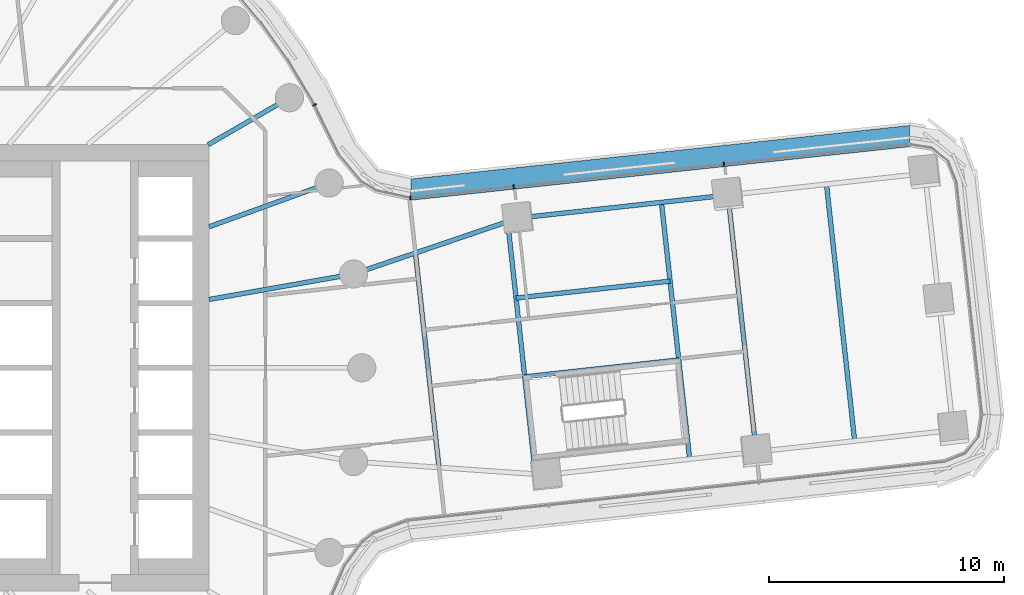
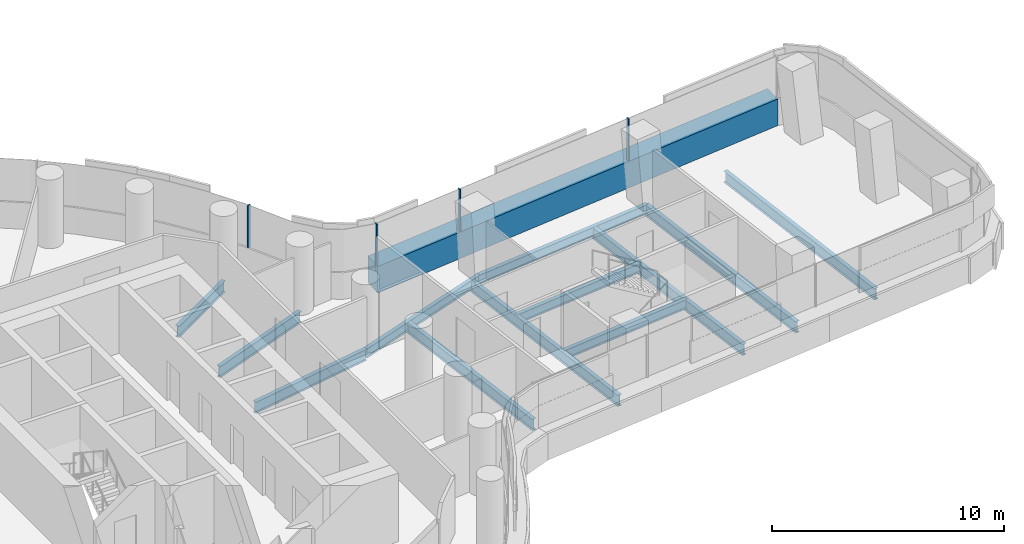
# One storey, part 11 of 31: 12 beams, 5 members, 2 elements without a shape of their own.
"""IFC4 building model written with IfcOpenShell, lengths in metres."""

import ifcopenshell
import ifcopenshell.guid

model = None  # the IFC model being written
_history = None  # IfcOwnerHistory: only IFC2X3 demands one
_inside = {}  # id of a spatial element -> (the spatial element, [elements in it])
_under = {}  # id of a project, library or spatial element -> (it, [spatial elements below it])
_declared = {}  # id of a project -> (the project, [libraries it declares])
_typed = {}  # id of a type object -> (the type object, [elements of that type])
_made_of = {}  # id of a material, layer set ... -> (it, [elements and type objects made of it])


def new_model(schema):
    """Start an empty IFC model of exactly this schema.

    Asked for "IFC4X3", IfcOpenShell would pick the latest addendum, in which some entities
    have other attributes; the version numbers below select the first issue.
    IFC2X3 requires an IfcOwnerHistory on every rooted entity: one is made here for all.
    """
    global model, _history
    if schema == "IFC4X3":
        model = ifcopenshell.file(schema_version=(4, 3, 0, 0))
    else:
        model = ifcopenshell.file(schema=schema)
    _inside.clear()
    _under.clear()
    _declared.clear()
    _typed.clear()
    _made_of.clear()
    _history = None
    if model.schema == "IFC2X3":
        org = make("IfcOrganization", Name="unknown")
        user = make(
            "IfcPersonAndOrganization",
            ThePerson=make("IfcPerson", FamilyName="unknown"),
            TheOrganization=org,
        )
        app = make(
            "IfcApplication",
            ApplicationDeveloper=org,
            Version="unknown",
            ApplicationFullName="unknown",
            ApplicationIdentifier="unknown",
        )
        _history = make(
            "IfcOwnerHistory",
            OwningUser=user,
            OwningApplication=app,
            ChangeAction="ADDED",
            CreationDate=0,
        )
    return model


def make(cls, **values):
    """One entity of the class cls with the attributes given. An attribute that is None is left unset."""
    return model.create_entity(
        cls, **{name: value for name, value in values.items() if value is not None}
    )


def rooted(cls, **values):
    """An entity with a GlobalId (a new one), such as an element, a storey or a relation."""
    return make(cls, GlobalId=ifcopenshell.guid.new(), OwnerHistory=_history, **values)


def si_unit(unit_type, name, prefix=None):
    """IfcSIUnit, for example si_unit("LENGTHUNIT", "METRE", prefix="MILLI")."""
    return make("IfcSIUnit", UnitType=unit_type, Prefix=prefix, Name=name)


def assignment(units):
    """IfcUnitAssignment: the units of a project."""
    return None if units is None else make("IfcUnitAssignment", Units=units)


def point(xyz):
    """IfcCartesianPoint."""
    return None if xyz is None else make("IfcCartesianPoint", Coordinates=xyz)


def direction(xyz):
    """IfcDirection."""
    return None if xyz is None else make("IfcDirection", DirectionRatios=xyz)


def frame(location, z_axis=None, x_axis=None):
    """IfcAxis2Placement3D, a coordinate frame: its origin and axes. An axis left out is left unset."""
    return make(
        "IfcAxis2Placement3D",
        Location=point(location),
        Axis=direction(z_axis),
        RefDirection=direction(x_axis),
    )


def frame_2d(location, x_axis=None):
    """IfcAxis2Placement2D, a coordinate frame in the plane: its origin and x axis."""
    return make(
        "IfcAxis2Placement2D", Location=point(location), RefDirection=direction(x_axis)
    )


def origin():
    """The frame at (0, 0, 0) with its axes left unset."""
    return frame((0.0, 0.0, 0.0))


def origin_2d():
    """The frame at (0, 0) in the plane with its x axis left unset."""
    return frame_2d((0.0, 0.0))


def place(relative_to, where):
    """IfcLocalPlacement: puts the frame where relative to a parent placement (None: the world)."""
    return make(
        "IfcLocalPlacement", PlacementRelTo=relative_to, RelativePlacement=where
    )


def context(
    kind, dimensions, precision=None, world=None, true_north=None, identifier=None
):
    """IfcGeometricRepresentationContext, for example the 3D "Model" context."""
    return make(
        "IfcGeometricRepresentationContext",
        ContextIdentifier=identifier,
        ContextType=kind,
        CoordinateSpaceDimension=dimensions,
        Precision=precision,
        WorldCoordinateSystem=world,
        TrueNorth=true_north,
    )


def subcontext(parent, identifier, kind, view, scale=None):
    """IfcGeometricRepresentationSubContext, for example "Body" below "Model"."""
    return make(
        "IfcGeometricRepresentationSubContext",
        ContextIdentifier=identifier,
        ContextType=kind,
        ParentContext=parent,
        TargetScale=scale,
        TargetView=view,
    )


def project(units=None, contexts=None):
    """IfcProject with its units and contexts."""
    return rooted(
        "IfcProject",
        Name="project",
        RepresentationContexts=contexts,
        UnitsInContext=assignment(units),
    )


def spatial(cls, under=None, at=None, **own):
    """A site, building, storey or space (cls), placed at a placement, below another one or the project."""
    s = rooted(cls, ObjectPlacement=at, **own)
    if under is not None:
        _under.setdefault(under.id(), (under, []))[1].append(s)
    return s


def polyline(points):
    """IfcPolyline through the points."""
    return make("IfcPolyline", Points=[point(p) for p in points])


def profile(cls, at=None, kind="AREA", **sizes):
    """A parametric profile (cls). Its sizes go by their IFC names, for example OverallWidth=200.0."""
    return make(cls, ProfileType=kind, Position=at, **sizes)


def rectangle(**sizes):
    """IfcRectangleProfileDef."""
    return profile("IfcRectangleProfileDef", **sizes)


def i_section(**sizes):
    """IfcIShapeProfileDef."""
    return profile("IfcIShapeProfileDef", **sizes)


def outline(outer, holes=None, kind="AREA"):
    """IfcArbitraryClosedProfileDef: a profile drawn as a closed curve; with holes, ...WithVoids."""
    if holes is None:
        return make("IfcArbitraryClosedProfileDef", ProfileType=kind, OuterCurve=outer)
    return make(
        "IfcArbitraryProfileDefWithVoids",
        ProfileType=kind,
        OuterCurve=outer,
        InnerCurves=holes,
    )


def extrude(swept, where, along, depth):
    """IfcExtrudedAreaSolid: the profile swept, set in the frame where, extruded along a direction by depth."""
    return make(
        "IfcExtrudedAreaSolid",
        SweptArea=swept,
        Position=where,
        ExtrudedDirection=direction(along),
        Depth=depth,
    )


def shape(context_of_items, identifier, shape_type, items):
    """IfcShapeRepresentation: the items that make up one representation, for example the "Body"."""
    return make(
        "IfcShapeRepresentation",
        ContextOfItems=context_of_items,
        RepresentationIdentifier=identifier,
        RepresentationType=shape_type,
        Items=items,
    )


def material(Name=None, Category=None):
    """IfcMaterial."""
    return make("IfcMaterial", Name=Name, Category=Category)


def layer(
    of_material, thickness, ventilated=None, Name=None, Category=None, Priority=None
):
    """IfcMaterialLayer: one layer of a wall or slab, of a material (None: an air gap)."""
    return make(
        "IfcMaterialLayer",
        Material=of_material,
        LayerThickness=thickness,
        IsVentilated=ventilated,
        Name=Name,
        Category=Category,
        Priority=Priority,
    )


def layer_set(layers, Name=None):
    """IfcMaterialLayerSet."""
    return make("IfcMaterialLayerSet", MaterialLayers=layers, LayerSetName=Name)


def material_profile(
    of_material, cross_section, Name=None, Category=None, Priority=None
):
    """IfcMaterialProfile: a cross section and its material."""
    return make(
        "IfcMaterialProfile",
        Name=Name,
        Material=of_material,
        Profile=cross_section,
        Priority=Priority,
        Category=Category,
    )


def profile_set(profiles, Name=None, composite=None):
    """IfcMaterialProfileSet."""
    return make(
        "IfcMaterialProfileSet",
        Name=Name,
        MaterialProfiles=profiles,
        CompositeProfile=composite,
    )


def made_of(thing, what):
    """Note that an element or type object is made of a material, layer set ...; save() writes the relation."""
    if what is not None:
        _made_of.setdefault(what.id(), (what, []))[1].append(thing)
    return thing


def type_object(cls, material=None, **own):
    """A type object (cls), such as IfcWallType, which elements share."""
    return made_of(rooted(cls, **own), material)


def element(
    cls,
    number,
    at=None,
    inside=None,
    cuts=None,
    type_object=None,
    material=None,
    context=None,
    identifier="Body",
    shape_type=None,
    held_by="IfcProductDefinitionShape",
    body=None,
    shapes=None,
    **own,
):
    """One element of the class cls, such as IfcWall. Its Tag is "e" and its number.

    at: its placement. inside: the storey or other place that contains it. cuts: it is an
    opening in that element (IfcRelVoidsElement). A single representation is given by context,
    identifier, shape_type and body (its items); several are given by shapes. held_by: the class
    of the entity that holds the representations. save() writes the other relations.
    """
    e = rooted(cls, Tag="e%d" % number, ObjectPlacement=at, **own)
    if body is not None:
        shapes = [shape(context, identifier, shape_type, body)]
    if shapes is not None:
        e.Representation = make(held_by, Representations=shapes)
    if inside is not None:
        _inside.setdefault(inside.id(), (inside, []))[1].append(e)
    if cuts is not None:
        rooted(
            "IfcRelVoidsElement", RelatingBuildingElement=cuts, RelatedOpeningElement=e
        )
    if type_object is not None:
        _typed.setdefault(type_object.id(), (type_object, []))[1].append(e)
    return made_of(e, material)


def aggregate(whole, parts):
    """IfcRelAggregates: a whole, such as a stair, and the parts it consists of."""
    return rooted("IfcRelAggregates", RelatingObject=whole, RelatedObjects=parts)


def save(model, path):
    """Write the relations noted so far, then the file.

    IfcRelAggregates (storeys below a building ...), IfcRelContainedInSpatialStructure (elements
    in a storey), IfcRelDefinesByType, IfcRelAssociatesMaterial and IfcRelDeclares: one each for
    every whole, place, type object, material and project.
    """
    for whole, parts in _under.values():
        aggregate(whole, parts)
    for where, things in _inside.values():
        rooted(
            "IfcRelContainedInSpatialStructure",
            RelatedElements=things,
            RelatingStructure=where,
        )
    for kind, things in _typed.values():
        rooted("IfcRelDefinesByType", RelatedObjects=things, RelatingType=kind)
    for what, things in _made_of.values():
        rooted("IfcRelAssociatesMaterial", RelatedObjects=things, RelatingMaterial=what)
    for by, libraries in _declared.values():
        rooted("IfcRelDeclares", RelatingContext=by, RelatedDefinitions=libraries)
    model.write(path)


model = new_model("IFC4")

# Units and contexts
model_context = context("Model", 3, precision=1e-05, world=origin(), true_north=direction((0.0, 1.0)))
body_context = subcontext(model_context, "Body", "Model", "MODEL_VIEW")
ifc_project = project(units=[si_unit("LENGTHUNIT", "METRE"), si_unit("AREAUNIT", "SQUARE_METRE"), si_unit("VOLUMEUNIT", "CUBIC_METRE"), si_unit("PLANEANGLEUNIT", "RADIAN"), si_unit("MASSUNIT", "GRAM", prefix="KILO")], contexts=[model_context])

# Site, building, storey
site_placement = place(None, origin())
site = spatial("IfcSite", under=ifc_project, at=site_placement, CompositionType="ELEMENT")
building_placement = place(site_placement, origin())
building = spatial("IfcBuilding", under=site, at=building_placement, Name="Tamarind Cross Interchange Tower", CompositionType="ELEMENT")
storey_placement = place(building_placement, frame((0.0, 0.0, 56.5)))
storey = spatial("IfcBuildingStorey", under=building, at=storey_placement, Name="L12", CompositionType="ELEMENT", Elevation=56.5)

# Beams
ifc_material_1 = material(Name="Steel Q355B", Category="steel")
ifc_material_profile_1 = material_profile(ifc_material_1, i_section(OverallWidth=0.198974609375, OverallDepth=0.49609375, WebThickness=0.009033203125, FlangeThickness=0.013916015625, FilletRadius=0.012939453125, at=origin_2d()), Name="HN 496x199x9x14")
ifc_profile_set_1 = profile_set([ifc_material_profile_1], Name="Steel Q355B")
beam_type_1 = type_object("IfcBeamType", Name="Composite beam HN 496x199x9x14 Q355B", PredefinedType="BEAM", material=ifc_profile_set_1)
beam_1_placement = place(storey_placement, frame((38.595947265625, 7.356201171875, -0.387939453125), z_axis=(-0.994021237917, -0.109186897432, 0.0), x_axis=(0.109186897432, -0.994021237917, 0.0)))
element("IfcBeam", 1, at=beam_1_placement, inside=storey, type_object=beam_type_1, Name="Beam E-edgeep3", PredefinedType="BEAM", context=body_context, shape_type="SweptSolid", body=[
    extrude(i_section(OverallWidth=0.198974609375, OverallDepth=0.49609375, WebThickness=0.009033203125, FlangeThickness=0.013916015625, FilletRadius=0.012939453125, at=origin_2d()), origin(), (0.0, 0.0, 1.0), 8.999755859375),
])
beam_2_placement = place(storey_placement, frame((29.64990234375, 6.37353515625, -0.387939453125), z_axis=(-0.946777374536, -0.321889116105, 0.0), x_axis=(0.321889116105, -0.946777374536, 0.0)))
element("IfcBeam", 2, at=beam_2_placement, inside=storey, type_object=beam_type_1, Name="Beam E-linkep", PredefinedType="BEAM", context=body_context, shape_type="SweptSolid", body=[
    extrude(i_section(OverallWidth=0.198974609375, OverallDepth=0.49609375, WebThickness=0.009033203125, FlangeThickness=0.013916015625, FilletRadius=0.012939453125, at=origin_2d()), origin(), (0.0, 0.0, 1.0), 7.392822265625),
])
for number, where, z_axis, x_axis, name in (
    (3, (29.939453125, -0.38525390625, -0.387939453125), (0.994024119898, 0.109160657109, 0.0), (-0.109160657109, 0.994024119898, 0.0), "Beam E-tr1"),
    (4, (29.571044921875, 2.969482421875, -0.387939453125), (0.994020105403, 0.109197207173, 0.0), (-0.109197207173, 0.994020105403, 0.0), "Beam E-stripp"),
):
    element("IfcBeam", number, at=place(storey_placement, frame(where, z_axis=z_axis, x_axis=x_axis)), inside=storey, type_object=beam_type_1, Name=name, PredefinedType="BEAM", context=body_context, shape_type="SweptSolid", body=[
        extrude(i_section(OverallWidth=0.198974609375, OverallDepth=0.49609375, WebThickness=0.009033203125, FlangeThickness=0.013916015625, FilletRadius=0.012939453125, at=origin_2d()), origin(), (0.0, 0.0, 1.0), 6.60009765625),
    ])
ifc_material_profile_2 = material_profile(ifc_material_1, i_section(OverallWidth=0.198974609375, OverallDepth=0.595947265625, WebThickness=0.010009765625, FlangeThickness=0.014892578125, FilletRadius=0.012939453125, at=origin_2d()), Name="HN 596x199x10x15")
ifc_profile_set_2 = profile_set([ifc_material_profile_2], Name="Steel Q355B")
beam_type_2 = type_object("IfcBeamType", Name="Composite beam HN 596x199x10x15 Q355B", PredefinedType="BEAM", material=ifc_profile_set_2)
beam_3_placement = place(storey_placement, frame((22.650634765625, 3.993896484375, -0.43798828125), z_axis=(-0.984809127561, -0.173640382036, 0.0), x_axis=(0.173640382036, -0.984809127561, 0.0)))
element("IfcBeam", 5, at=beam_3_placement, inside=storey, type_object=beam_type_2, Name="Beam HH01", PredefinedType="BEAM", context=body_context, shape_type="SweptSolid", body=[
    extrude(i_section(OverallWidth=0.198974609375, OverallDepth=0.595947265625, WebThickness=0.010009765625, FlangeThickness=0.014892578125, FilletRadius=0.012939453125, at=origin_2d()), origin(), (0.0, 0.0, 1.0), 6.24560546875),
])
beam_4_placement = place(storey_placement, frame((21.613037109375, 7.866455078125, -0.43798828125), z_axis=(-0.939701685589, -0.341995236956, 0.0), x_axis=(0.341995236956, -0.939701685589, 0.0)))
element("IfcBeam", 6, at=beam_4_placement, inside=storey, type_object=beam_type_2, Name="Beam HH02", PredefinedType="BEAM", context=body_context, shape_type="SweptSolid", body=[
    extrude(i_section(OverallWidth=0.198974609375, OverallDepth=0.595947265625, WebThickness=0.010009765625, FlangeThickness=0.014892578125, FilletRadius=0.012939453125, at=origin_2d()), origin(), (0.0, 0.0, 1.0), 5.441162109375),
])
beam_5_placement = place(storey_placement, frame((19.918701171875, 11.5, -0.43798828125), z_axis=(-0.866026010844, -0.49999894854, 0.0), x_axis=(0.49999894854, -0.866026010844, 0.0)))
element("IfcBeam", 7, at=beam_5_placement, inside=storey, type_object=beam_type_2, Name="Beam HH03", PredefinedType="BEAM", context=body_context, shape_type="SweptSolid", body=[
    extrude(i_section(OverallWidth=0.198974609375, OverallDepth=0.595947265625, WebThickness=0.010009765625, FlangeThickness=0.014892578125, FilletRadius=0.012939453125, at=origin_2d()), origin(), (0.0, 0.0, 1.0), 4.0),
])
ifc_material_profile_3 = material_profile(ifc_material_1, i_section(OverallWidth=0.199951171875, OverallDepth=0.60009765625, WebThickness=0.010986328125, FlangeThickness=0.01708984375, FilletRadius=0.012939453125, at=origin_2d()), Name="HN 600x200x11x17")
ifc_profile_set_3 = profile_set([ifc_material_profile_3], Name="Steel Q355B")
beam_type_3 = type_object("IfcBeamType", Name="Composite beam HN 600x200x11x17 Q355B", PredefinedType="BEAM", material=ifc_profile_set_3)
beam_6_placement = place(storey_placement, frame((30.394775390625, -4.529296875, -0.43994140625), z_axis=(-0.10919555434, 0.994020286972, 0.0), x_axis=(-0.994020286972, -0.10919555434, 0.0)))
element("IfcBeam", 8, at=beam_6_placement, inside=storey, type_object=beam_type_3, Name="Beam E-x298", PredefinedType="BEAM", context=body_context, shape_type="SweptSolid", body=[
    extrude(i_section(OverallWidth=0.199951171875, OverallDepth=0.60009765625, WebThickness=0.010986328125, FlangeThickness=0.01708984375, FilletRadius=0.012939453125, at=origin_2d()), origin(), (0.0, 0.0, 1.0), 10.819091796875),
])
beam_7_placement = place(storey_placement, frame((36.964111328125, -3.88916015625, -0.43994140625), z_axis=(-0.109198813257, 0.994019928967, 0.0), x_axis=(-0.994019928967, -0.109198813257, 0.0)))
element("IfcBeam", 9, at=beam_7_placement, inside=storey, type_object=beam_type_3, Name="Beam E-x364", PredefinedType="BEAM", context=body_context, shape_type="SweptSolid", body=[
    extrude(i_section(OverallWidth=0.199951171875, OverallDepth=0.60009765625, WebThickness=0.010986328125, FlangeThickness=0.01708984375, FilletRadius=0.012939453125, at=origin_2d()), origin(), (0.0, 0.0, 1.0), 10.999755859375),
])
beam_8_placement = place(storey_placement, frame((39.797119140625, -3.578125, -0.43994140625), z_axis=(-0.109196404149, 0.994020193618, 0.0), x_axis=(-0.994020193618, -0.109196404149, 0.0)))
element("IfcBeam", 10, at=beam_8_placement, inside=storey, type_object=beam_type_3, Name="Beam E-x393", PredefinedType="BEAM", context=body_context, shape_type="SweptSolid", body=[
    extrude(i_section(OverallWidth=0.199951171875, OverallDepth=0.60009765625, WebThickness=0.010986328125, FlangeThickness=0.01708984375, FilletRadius=0.012939453125, at=origin_2d()), origin(), (0.0, 0.0, 1.0), 11.0),
])
beam_9_placement = place(storey_placement, frame((26.289306640625, -4.245361328125, -0.43994140625), z_axis=(-0.109212648775, 0.994018408958, 0.0), x_axis=(-0.994018408958, -0.109212648775, 0.0)))
element("IfcBeam", 11, at=beam_9_placement, inside=storey, type_object=beam_type_3, Name="Beam E-x258", PredefinedType="BEAM", context=body_context, shape_type="SweptSolid", body=[
    extrude(i_section(OverallWidth=0.199951171875, OverallDepth=0.60009765625, WebThickness=0.010986328125, FlangeThickness=0.01708984375, FilletRadius=0.012939453125, at=origin_2d()), origin(), (0.0, 0.0, 1.0), 9.18994140625),
])
beam_10_placement = place(storey_placement, frame((43.99169921875, -3.1171875, -0.43994140625), z_axis=(-0.109198813257, 0.994019928967, 0.0), x_axis=(-0.994019928967, -0.109198813257, 0.0)))
element("IfcBeam", 12, at=beam_10_placement, inside=storey, type_object=beam_type_3, Name="Beam E-x435", PredefinedType="BEAM", context=body_context, shape_type="SweptSolid", body=[
    extrude(i_section(OverallWidth=0.199951171875, OverallDepth=0.60009765625, WebThickness=0.010986328125, FlangeThickness=0.01708984375, FilletRadius=0.012939453125, at=origin_2d()), origin(), (0.0, 0.0, 1.0), 10.999755859375),
])

# Curtain wall, members
ifc_material_2 = material(Name="Aluminium 6063-T6", Category="aluminium")
ifc_layer = layer(ifc_material_2, 0.159912109375)
ifc_layer_set = layer_set([ifc_layer], Name="Aluminium 6063-T6")
curtain_wall_type = type_object("IfcCurtainWallType", Name="Office curtain wall, 9.0 m bays", PredefinedType="NOTDEFINED", material=ifc_layer_set)
curtain_wall_1_placement = place(storey_placement, origin())
curtain_wall_1 = element("IfcCurtainWall", 13, at=curtain_wall_1_placement, inside=storey, type_object=curtain_wall_type, Name="CWS-L12-01", PredefinedType="NOTDEFINED")
ifc_material_3 = material(Name="Aluminium and insulated spandrel panel", Category="aluminium")
member_type_1 = type_object("IfcMemberType", Name="Floor-edge blade transom", PredefinedType="USERDEFINED", material=ifc_material_3)
member_1_placement = place(storey_placement, origin())
member_1 = element("IfcMember", 14, at=member_1_placement, type_object=member_type_1, Name="CWT-L12-01", ObjectType="TRANSOM", PredefinedType="USERDEFINED", context=body_context, shape_type="SweptSolid", body=[
    extrude(outline(polyline([(46.3173828125, 9.41162109375), (25.061279296875, 7.129638671875), (25.111572265625, 8.040283203125), (46.338134765625, 10.319091796875), (46.3173828125, 9.41162109375)])), origin(), (0.0, 0.0, 1.0), 1.39990234375),
])
ifc_material_profile_4 = material_profile(ifc_material_2, rectangle(XDim=0.06005859375, YDim=0.159912109375, at=origin_2d()), Name="Mullion CW1")
ifc_profile_set_4 = profile_set([ifc_material_profile_4], Name="Aluminium 6063-T6")
member_type_2 = type_object("IfcMemberType", Name="Mullion CW1", PredefinedType="MULLION", material=ifc_profile_set_4)
member_2_placement = place(storey_placement, frame((38.423095703125, 8.664794921875, 1.39990234375), z_axis=(0.0, 0.0, 1.0), x_axis=(-0.994286578986, -0.106743612679, 0.0)))
member_2 = element("IfcMember", 15, at=member_2_placement, type_object=member_type_2, Name="CWM-L12-01-01", PredefinedType="MULLION", context=body_context, shape_type="SweptSolid", body=[
    extrude(rectangle(XDim=0.06005859375, YDim=0.159912109375, at=origin_2d()), origin(), (0.0, 0.0, 1.0), 2.210205078125),
])
member_3_placement = place(storey_placement, frame((29.4716796875, 7.703857421875, 1.39990234375), z_axis=(0.0, 0.0, 1.0), x_axis=(-0.994286578986, -0.106743612679, 0.0)))
member_3 = element("IfcMember", 16, at=member_3_placement, type_object=member_type_2, Name="CWM-L12-01-02", PredefinedType="MULLION", context=body_context, shape_type="SweptSolid", body=[
    extrude(rectangle(XDim=0.06005859375, YDim=0.159912109375, at=origin_2d()), origin(), (0.0, 0.0, 1.0), 2.210205078125),
])
aggregate(curtain_wall_1, [member_2, member_3, member_1])

curtain_wall_2_placement = place(storey_placement, origin())
curtain_wall_2 = element("IfcCurtainWall", 17, at=curtain_wall_2_placement, inside=storey, type_object=curtain_wall_type, Name="CWS-L12-02", PredefinedType="NOTDEFINED")
member_4_placement = place(storey_placement, frame((25.06689453125, 7.23095703125, 1.39990234375), z_axis=(0.0, 0.0, 1.0), x_axis=(-0.998468977092, 0.055314571186, 0.0)))
member_4 = element("IfcMember", 18, at=member_4_placement, type_object=member_type_2, Name="CWM-L12-02-00", PredefinedType="MULLION", context=body_context, shape_type="SweptSolid", body=[
    extrude(rectangle(XDim=0.06005859375, YDim=0.159912109375, at=origin_2d()), origin(), (0.0, 0.0, 1.0), 2.210205078125),
])
member_5_placement = place(storey_placement, frame((20.98876953125, 11.193115234375, 1.39990234375), z_axis=(0.0, 0.0, 1.0), x_axis=(-0.443058811505, 0.896492548518, 0.0)))
member_5 = element("IfcMember", 19, at=member_5_placement, type_object=member_type_2, Name="CWM-L12-02-01", PredefinedType="MULLION", context=body_context, shape_type="SweptSolid", body=[
    extrude(rectangle(XDim=0.06005859375, YDim=0.159912109375, at=origin_2d()), origin(), (0.0, 0.0, 1.0), 2.210205078125),
])
aggregate(curtain_wall_2, [member_4, member_5])

save(model, "model.ifc")
